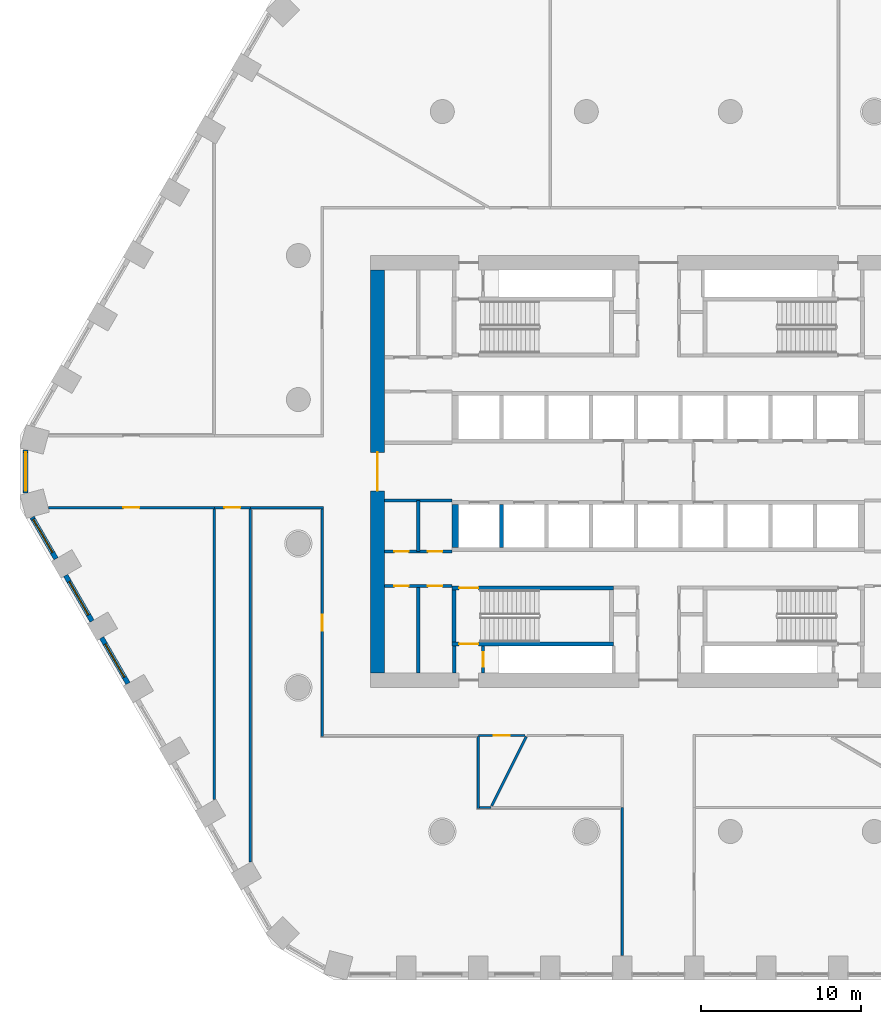
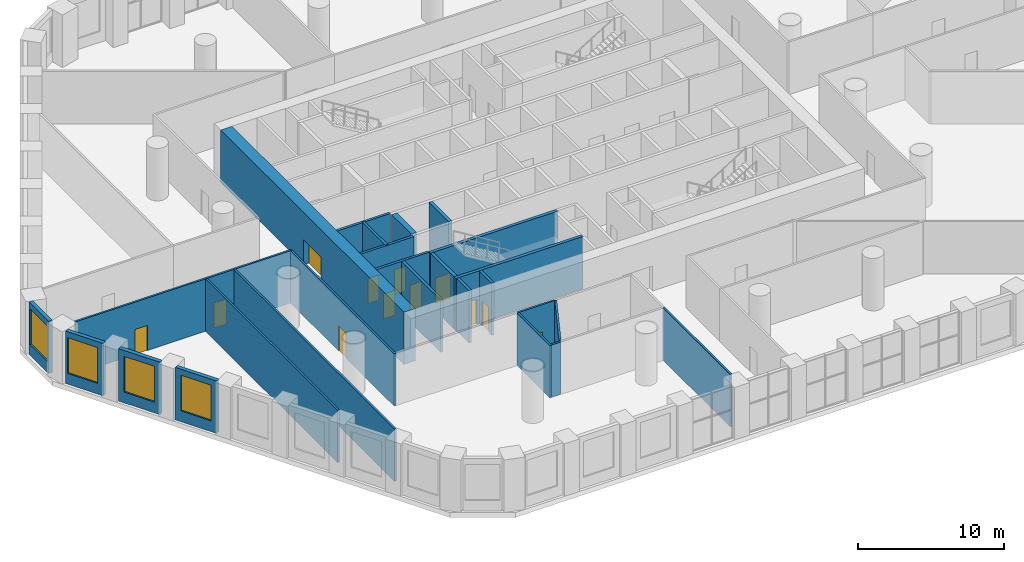
# One storey, part 7 of 21: 28 walls, 12 doors, 4 windows, 16 openings.
"""IFC4 building model written with IfcOpenShell, lengths in metres."""

from ifc_helpers import new_model, si_unit, direction, frame, frame_2d, origin, place, context, subcontext, project, spatial, polyline, rectangle, outline, extrude, material, layer, layer_set, type_object, element, fill, save


model = new_model("IFC4")

# Units and contexts
model_context = context("Model", 3, precision=1e-05, world=origin(), true_north=direction((0.0, 1.0)))
body_context = subcontext(model_context, "Body", "Model", "MODEL_VIEW")
ifc_project = project(units=[si_unit("LENGTHUNIT", "METRE"), si_unit("AREAUNIT", "SQUARE_METRE"), si_unit("VOLUMEUNIT", "CUBIC_METRE"), si_unit("PLANEANGLEUNIT", "RADIAN"), si_unit("MASSUNIT", "GRAM", prefix="KILO")], contexts=[model_context])

# Site, building, storey
site_placement = place(None, origin())
site = spatial("IfcSite", under=ifc_project, at=site_placement, CompositionType="ELEMENT")
building_placement = place(site_placement, origin())
building = spatial("IfcBuilding", under=site, at=building_placement, Name="Dhurran Vertical Campus", CompositionType="ELEMENT")
storey_placement = place(building_placement, frame((0.0, 0.0, 20.39990234375)))
storey = spatial("IfcBuildingStorey", under=building, at=storey_placement, Name="L04", CompositionType="ELEMENT", Elevation=20.39990234375)

# Wall, opening, window
ifc_material_1 = material(Name="Precast concrete C50/60", Category="concrete")
ifc_layer_1 = layer(ifc_material_1, 0.300048828125)
ifc_layer_set_1 = layer_set([ifc_layer_1], Name="Precast concrete C50/60")
wall_type_1 = type_object("IfcWallType", Name="Precast spandrel wall 300", PredefinedType="SOLIDWALL", material=ifc_layer_set_1)
wall_1_placement = place(storey_placement, frame((-39.547119140625, 1.33935546875, 0.0), z_axis=(0.0, 0.0, 1.0), x_axis=(0.0, -1.0, 0.0)))
wall_1 = element("IfcWall", 1, at=wall_1_placement, inside=storey, type_object=wall_type_1, Name="EW1 L04.43", PredefinedType="SOLIDWALL", context=body_context, shape_type="SweptSolid", body=[
    extrude(rectangle(XDim=2.6787109375, YDim=0.300048828125, at=frame_2d((1.33935546875, 0.0))), origin(), (0.0, 0.0, 1.0), 4.400146484375),
])
opening_1_placement = place(wall_1_placement, frame((0.139404296875, 0.0, 0.89990234375)))
opening_1 = element("IfcOpeningElement", 2, at=opening_1_placement, cuts=wall_1, Name="Opening WT2", PredefinedType="OPENING", context=body_context, shape_type="SweptSolid", body=[
    extrude(rectangle(XDim=2.39990234375, YDim=3.0, at=frame_2d((1.199951171875, 1.5))), frame((0.0, 0.159912109375, 0.0), z_axis=(0.0, -1.0, 0.0), x_axis=(1.0, 0.0, 0.0)), (0.0, 0.0, 1.0), 0.320068359375),
])
ifc_material_2 = material(Name="Aluminium frame with solar-control glass", Category="aluminium")
window_type = type_object("IfcWindowType", Name="Podium window 2400 x 3000", PartitioningType="SINGLE_PANEL", PredefinedType="WINDOW", material=ifc_material_2)
window_1_placement = place(opening_1_placement, origin())
window_1 = element("IfcWindow", 3, at=window_1_placement, inside=storey, type_object=window_type, Name="WT2 L04.43", OverallHeight=3.0, OverallWidth=2.39990234375, PartitioningType="SINGLE_PANEL", PredefinedType="WINDOW", context=body_context, shape_type="SweptSolid", body=[
    extrude(rectangle(XDim=2.39990234375, YDim=3.0, at=frame_2d((1.199951171875, 1.5))), frame((0.0, 0.030029296875, 0.0), z_axis=(0.0, -1.0, 0.0), x_axis=(1.0, 0.0, 0.0)), (0.0, 0.0, 1.0), 0.06005859375),
])
fill(opening_1, window_1)

wall_2_placement = place(storey_placement, frame((-39.138671875, -2.86376953125, 0.0), z_axis=(0.0, 0.0, 1.0), x_axis=(0.49999586137, -0.866027793211, 0.0)))
wall_2 = element("IfcWall", 4, at=wall_2_placement, inside=storey, type_object=wall_type_1, Name="EW1 L04.44", PredefinedType="SOLIDWALL", context=body_context, shape_type="SweptSolid", body=[
    extrude(rectangle(XDim=2.98876953125, YDim=0.300048828125, at=frame_2d((1.494384765625, 0.0))), origin(), (0.0, 0.0, 1.0), 4.400146484375),
])
opening_2_placement = place(wall_2_placement, frame((0.139404296875, 0.0, 0.89990234375)))
opening_2 = element("IfcOpeningElement", 5, at=opening_2_placement, cuts=wall_2, Name="Opening WT2", PredefinedType="OPENING", context=body_context, shape_type="SweptSolid", body=[
    extrude(rectangle(XDim=2.39990234375, YDim=3.0, at=frame_2d((1.199951171875, 1.5))), frame((0.0, 0.159912109375, 0.0), z_axis=(0.0, -1.0, 0.0), x_axis=(1.0, 0.0, 0.0)), (0.0, 0.0, 1.0), 0.320068359375),
])
window_2_placement = place(opening_2_placement, origin())
window_2 = element("IfcWindow", 6, at=window_2_placement, inside=storey, type_object=window_type, Name="WT2 L04.44", OverallHeight=3.0, OverallWidth=2.39990234375, PartitioningType="SINGLE_PANEL", PredefinedType="WINDOW", context=body_context, shape_type="SweptSolid", body=[
    extrude(rectangle(XDim=2.39990234375, YDim=3.0, at=frame_2d((1.199951171875, 1.5))), frame((0.0, 0.030029296875, 0.0), z_axis=(0.0, -1.0, 0.0), x_axis=(1.0, 0.0, 0.0)), (0.0, 0.0, 1.0), 0.06005859375),
])
fill(opening_2, window_2)

wall_3_placement = place(storey_placement, frame((-37.043701171875, -6.4921875, 0.0), z_axis=(0.0, 0.0, 1.0), x_axis=(0.499991515992, -0.866030301974, 0.0)))
wall_3 = element("IfcWall", 7, at=wall_3_placement, inside=storey, type_object=wall_type_1, Name="EW1 L04.45", PredefinedType="SOLIDWALL", context=body_context, shape_type="SweptSolid", body=[
    extrude(rectangle(XDim=3.298828125, YDim=0.300048828125, at=frame_2d((1.6494140625, 0.0))), origin(), (0.0, 0.0, 1.0), 4.400146484375),
])
opening_3_placement = place(wall_3_placement, frame((0.449462890625, 0.0, 0.89990234375)))
opening_3 = element("IfcOpeningElement", 8, at=opening_3_placement, cuts=wall_3, Name="Opening WT2", PredefinedType="OPENING", context=body_context, shape_type="SweptSolid", body=[
    extrude(rectangle(XDim=2.39990234375, YDim=3.0, at=frame_2d((1.199951171875, 1.5))), frame((0.0, 0.159912109375, 0.0), z_axis=(0.0, -1.0, 0.0), x_axis=(1.0, 0.0, 0.0)), (0.0, 0.0, 1.0), 0.320068359375),
])
window_3_placement = place(opening_3_placement, origin())
window_3 = element("IfcWindow", 9, at=window_3_placement, inside=storey, type_object=window_type, Name="WT2 L04.45", OverallHeight=3.0, OverallWidth=2.39990234375, PartitioningType="SINGLE_PANEL", PredefinedType="WINDOW", context=body_context, shape_type="SweptSolid", body=[
    extrude(rectangle(XDim=2.39990234375, YDim=3.0, at=frame_2d((1.199951171875, 1.5))), frame((0.0, 0.030029296875, 0.0), z_axis=(0.0, -1.0, 0.0), x_axis=(1.0, 0.0, 0.0)), (0.0, 0.0, 1.0), 0.06005859375),
])
fill(opening_3, window_3)

wall_4_placement = place(storey_placement, frame((-34.793701171875, -10.389404296875, 0.0), z_axis=(0.0, 0.0, 1.0), x_axis=(0.499991515992, -0.866030301974, 0.0)))
wall_4 = element("IfcWall", 10, at=wall_4_placement, inside=storey, type_object=wall_type_1, Name="EW1 L04.46", PredefinedType="SOLIDWALL", context=body_context, shape_type="SweptSolid", body=[
    extrude(rectangle(XDim=3.298828125, YDim=0.300048828125, at=frame_2d((1.6494140625, 0.0))), origin(), (0.0, 0.0, 1.0), 4.400146484375),
])
opening_4_placement = place(wall_4_placement, frame((0.449462890625, 0.0, 0.89990234375)))
opening_4 = element("IfcOpeningElement", 11, at=opening_4_placement, cuts=wall_4, Name="Opening WT2", PredefinedType="OPENING", context=body_context, shape_type="SweptSolid", body=[
    extrude(rectangle(XDim=2.39990234375, YDim=3.0, at=frame_2d((1.199951171875, 1.5))), frame((0.0, 0.159912109375, 0.0), z_axis=(0.0, -1.0, 0.0), x_axis=(1.0, 0.0, 0.0)), (0.0, 0.0, 1.0), 0.320068359375),
])
window_4_placement = place(opening_4_placement, origin())
window_4 = element("IfcWindow", 12, at=window_4_placement, inside=storey, type_object=window_type, Name="WT2 L04.46", OverallHeight=3.0, OverallWidth=2.39990234375, PartitioningType="SINGLE_PANEL", PredefinedType="WINDOW", context=body_context, shape_type="SweptSolid", body=[
    extrude(rectangle(XDim=2.39990234375, YDim=3.0, at=frame_2d((1.199951171875, 1.5))), frame((0.0, 0.030029296875, 0.0), z_axis=(0.0, -1.0, 0.0), x_axis=(1.0, 0.0, 0.0)), (0.0, 0.0, 1.0), 0.06005859375),
])
fill(opening_4, window_4)

# Wall, opening, door
ifc_material_3 = material(Name="Concrete C60/75", Category="concrete")
ifc_layer_2 = layer(ifc_material_3, 0.89990234375)
ifc_layer_set_2 = layer_set([ifc_layer_2], Name="Concrete C60/75")
wall_type_2 = type_object("IfcWallType", Name="co-CORE-WALL-C0-900", PredefinedType="SHEAR", material=ifc_layer_set_2)
wall_5_placement = place(storey_placement, frame((-17.550048828125, -12.60009765625, 0.0), z_axis=(0.0, 0.0, 1.0), x_axis=(0.0, 1.0, 0.0)))
wall_5 = element("IfcWall", 13, at=wall_5_placement, inside=storey, type_object=wall_type_2, Name="Core wall W L04", PredefinedType="SHEAR", context=body_context, shape_type="SweptSolid", body=[
    extrude(rectangle(XDim=25.2001953125, YDim=0.89990234375, at=frame_2d((12.60009765625, 0.0))), origin(), (0.0, 0.0, 1.0), 4.400146484375),
])
opening_5_placement = place(wall_5_placement, frame((11.39990234375, 0.0, 0.0)))
opening_5 = element("IfcOpeningElement", 14, at=opening_5_placement, cuts=wall_5, Name="Opening CL1", PredefinedType="OPENING", context=body_context, shape_type="SweptSolid", body=[
    extrude(rectangle(XDim=2.39990234375, YDim=2.10009765625, at=frame_2d((1.199951171875, 1.050048828125))), frame((0.0, 0.4599609375, 0.0), z_axis=(0.0, -1.0, 0.0), x_axis=(1.0, 0.0, 0.0)), (0.0, 0.0, 1.0), 0.919921875),
])
ifc_material_4 = material(Name="Fire-rated glazed door set")
door_type_1 = type_object("IfcDoorType", Name="co-D-LOBBY 2400x2100", OperationType="DOUBLE_DOOR_DOUBLE_SWING", PredefinedType="DOOR", material=ifc_material_4)
door_1_placement = place(opening_5_placement, origin())
door_1 = element("IfcDoor", 15, at=door_1_placement, inside=storey, type_object=door_type_1, Name="Lift lobby door W L04", OperationType="DOUBLE_DOOR_DOUBLE_SWING", OverallHeight=2.10009765625, OverallWidth=2.39990234375, PredefinedType="DOOR", context=body_context, shape_type="SweptSolid", body=[
    extrude(rectangle(XDim=2.39990234375, YDim=2.10009765625, at=frame_2d((1.199951171875, 1.050048828125))), frame((0.0, 0.02490234375, 0.0), z_axis=(0.0, -1.0, 0.0), x_axis=(1.0, 0.0, 0.0)), (0.0, 0.0, 1.0), 0.050048828125),
])
fill(opening_5, door_1)

# Wall
ifc_material_5 = material(Name="Fire-rated masonry blockwork", Category="masonry")
ifc_layer_3 = layer(ifc_material_5, 0.199951171875)
ifc_layer_set_3 = layer_set([ifc_layer_3], Name="Fire-rated masonry blockwork")
wall_type_3 = type_object("IfcWallType", Name="co-FIRE-PARTITION-200", PredefinedType="PARTITIONING", material=ifc_layer_set_3)
wall_6_placement = place(storey_placement, frame((-12.75, -12.60009765625, 0.0), z_axis=(0.0, 0.0, 1.0), x_axis=(0.0, 1.0, 0.0)))
element("IfcWall", 16, at=wall_6_placement, inside=storey, type_object=wall_type_3, Name="Core partition pass-ST3-o L04", PredefinedType="PARTITIONING", context=body_context, shape_type="SweptSolid", body=[
    extrude(rectangle(XDim=1.7001953125, YDim=0.199951171875, at=frame_2d((0.85009765625, 0.0))), origin(), (0.0, 0.0, 1.0), 4.400146484375),
])

# Wall, opening, door
wall_7_placement = place(storey_placement, frame((-10.949951171875, -12.60009765625, 0.0), z_axis=(0.0, 0.0, 1.0), x_axis=(0.0, 1.0, 0.0)))
wall_7 = element("IfcWall", 17, at=wall_7_placement, inside=storey, type_object=wall_type_3, Name="Core partition pass-ST3-i L04", PredefinedType="PARTITIONING", context=body_context, shape_type="SweptSolid", body=[
    extrude(rectangle(XDim=1.7001953125, YDim=0.199951171875, at=frame_2d((0.85009765625, 0.0))), origin(), (0.0, 0.0, 1.0), 4.400146484375),
])
opening_6_placement = place(wall_7_placement, frame((0.39990234375, 0.0, 0.0)))
opening_6 = element("IfcOpeningElement", 18, at=opening_6_placement, cuts=wall_7, Name="Opening PD04-C11", PredefinedType="OPENING", context=body_context, shape_type="SweptSolid", body=[
    extrude(rectangle(XDim=0.89990234375, YDim=2.10009765625, at=frame_2d((0.449951171875, 1.050048828125))), frame((0.0, 0.10986328125, 0.0), z_axis=(0.0, -1.0, 0.0), x_axis=(1.0, 0.0, 0.0)), (0.0, 0.0, 1.0), 0.219970703125),
])
ifc_material_6 = material(Name="Fire-rated timber door set", Category="wood")
door_type_2 = type_object("IfcDoorType", Name="co-D-ROOM 900x2100", OperationType="SINGLE_SWING_LEFT", PredefinedType="DOOR", material=ifc_material_6)
door_2_placement = place(opening_6_placement, origin())
door_2 = element("IfcDoor", 19, at=door_2_placement, inside=storey, type_object=door_type_2, Name="Riser room door L04", OperationType="SINGLE_SWING_LEFT", OverallHeight=2.10009765625, OverallWidth=0.89990234375, PredefinedType="DOOR", context=body_context, shape_type="SweptSolid", body=[
    extrude(rectangle(XDim=0.89990234375, YDim=2.10009765625, at=frame_2d((0.449951171875, 1.050048828125))), frame((0.0, 0.02490234375, 0.0), z_axis=(0.0, -1.0, 0.0), x_axis=(1.0, 0.0, 0.0)), (0.0, 0.0, 1.0), 0.050048828125),
])
fill(opening_6, door_2)

# Wall
wall_8_placement = place(storey_placement, frame((-15.0, -12.60009765625, 0.0), z_axis=(0.0, 0.0, 1.0), x_axis=(0.0, 1.0, 0.0)))
element("IfcWall", 20, at=wall_8_placement, inside=storey, type_object=wall_type_3, Name="Core partition en-SW-cut0 L04", PredefinedType="PARTITIONING", context=body_context, shape_type="SweptSolid", body=[
    extrude(rectangle(XDim=5.4501953125, YDim=0.199951171875, at=frame_2d((2.72509765625, 0.0))), origin(), (0.0, 0.0, 1.0), 4.400146484375),
])

# Wall, openings, doors
wall_9_placement = place(storey_placement, frame((-17.10009765625, -7.14990234375, 0.0), z_axis=(0.0, 0.0, 1.0), x_axis=(1.0, 0.0, 0.0)))
wall_9 = element("IfcWall", 21, at=wall_9_placement, inside=storey, type_object=wall_type_3, Name="Core partition en-SW-w L04", PredefinedType="PARTITIONING", context=body_context, shape_type="SweptSolid", body=[
    extrude(rectangle(XDim=4.2001953125, YDim=0.199951171875, at=frame_2d((2.10009765625, 0.0))), origin(), (0.0, 0.0, 1.0), 4.400146484375),
])
opening_7_placement = place(wall_9_placement, frame((0.60009765625, 0.0, 0.0)))
opening_7 = element("IfcOpeningElement", 22, at=opening_7_placement, cuts=wall_9, Name="Opening PD04-C18", PredefinedType="OPENING", context=body_context, shape_type="SweptSolid", body=[
    extrude(rectangle(XDim=0.89990234375, YDim=2.10009765625, at=frame_2d((0.449951171875, 1.050048828125))), frame((0.0, 0.10986328125, 0.0), z_axis=(0.0, -1.0, 0.0), x_axis=(1.0, 0.0, 0.0)), (0.0, 0.0, 1.0), 0.219970703125),
])
opening_8_placement = place(wall_9_placement, frame((2.699951171875, 0.0, 0.0)))
opening_8 = element("IfcOpeningElement", 23, at=opening_8_placement, cuts=wall_9, Name="Opening PD04-C19", PredefinedType="OPENING", context=body_context, shape_type="SweptSolid", body=[
    extrude(rectangle(XDim=0.89990234375, YDim=2.10009765625, at=frame_2d((0.449951171875, 1.050048828125))), frame((0.0, 0.10986328125, 0.0), z_axis=(0.0, -1.0, 0.0), x_axis=(1.0, 0.0, 0.0)), (0.0, 0.0, 1.0), 0.219970703125),
])
door_3_placement = place(opening_7_placement, origin())
door_3 = element("IfcDoor", 24, at=door_3_placement, inside=storey, type_object=door_type_2, Name="Water riser door L04", OperationType="SINGLE_SWING_LEFT", OverallHeight=2.10009765625, OverallWidth=0.89990234375, PredefinedType="DOOR", context=body_context, shape_type="SweptSolid", body=[
    extrude(rectangle(XDim=0.89990234375, YDim=2.10009765625, at=frame_2d((0.449951171875, 1.050048828125))), frame((0.0, 0.02490234375, 0.0), z_axis=(0.0, -1.0, 0.0), x_axis=(1.0, 0.0, 0.0)), (0.0, 0.0, 1.0), 0.050048828125),
])
fill(opening_7, door_3)
door_4_placement = place(opening_8_placement, origin())
door_4 = element("IfcDoor", 25, at=door_4_placement, inside=storey, type_object=door_type_2, Name="Plant room door L04", OperationType="SINGLE_SWING_LEFT", OverallHeight=2.10009765625, OverallWidth=0.89990234375, PredefinedType="DOOR", context=body_context, shape_type="SweptSolid", body=[
    extrude(rectangle(XDim=0.89990234375, YDim=2.10009765625, at=frame_2d((0.449951171875, 1.050048828125))), frame((0.0, 0.02490234375, 0.0), z_axis=(0.0, -1.0, 0.0), x_axis=(1.0, 0.0, 0.0)), (0.0, 0.0, 1.0), 0.050048828125),
])
fill(opening_8, door_4)

# Wall
wall_10_placement = place(storey_placement, frame((-15.0, -5.0, 0.0), z_axis=(0.0, 0.0, 1.0), x_axis=(0.0, 1.0, 0.0)))
element("IfcWall", 26, at=wall_10_placement, inside=storey, type_object=wall_type_3, Name="Core partition es-SW-cut0 L04", PredefinedType="PARTITIONING", context=body_context, shape_type="SweptSolid", body=[
    extrude(rectangle(XDim=3.199951171875, YDim=0.199951171875, at=frame_2d((1.60009765625, 0.0))), origin(), (0.0, 0.0, 1.0), 4.400146484375),
])

# Wall, openings, doors
wall_11_placement = place(storey_placement, frame((-17.10009765625, -5.0, 0.0), z_axis=(0.0, 0.0, 1.0), x_axis=(1.0, 0.0, 0.0)))
wall_11 = element("IfcWall", 27, at=wall_11_placement, inside=storey, type_object=wall_type_3, Name="Core partition es-SW-w L04", PredefinedType="PARTITIONING", context=body_context, shape_type="SweptSolid", body=[
    extrude(rectangle(XDim=4.2001953125, YDim=0.199951171875, at=frame_2d((2.10009765625, 0.0))), origin(), (0.0, 0.0, 1.0), 4.400146484375),
])
opening_9_placement = place(wall_11_placement, frame((0.60009765625, 0.0, 0.0)))
opening_9 = element("IfcOpeningElement", 28, at=opening_9_placement, cuts=wall_11, Name="Opening PD04-C20", PredefinedType="OPENING", context=body_context, shape_type="SweptSolid", body=[
    extrude(rectangle(XDim=0.89990234375, YDim=2.10009765625, at=frame_2d((0.449951171875, 1.050048828125))), frame((0.0, 0.10986328125, 0.0), z_axis=(0.0, -1.0, 0.0), x_axis=(1.0, 0.0, 0.0)), (0.0, 0.0, 1.0), 0.219970703125),
])
opening_10_placement = place(wall_11_placement, frame((2.699951171875, 0.0, 0.0)))
opening_10 = element("IfcOpeningElement", 29, at=opening_10_placement, cuts=wall_11, Name="Opening PD04-C21", PredefinedType="OPENING", context=body_context, shape_type="SweptSolid", body=[
    extrude(rectangle(XDim=0.89990234375, YDim=2.10009765625, at=frame_2d((0.449951171875, 1.050048828125))), frame((0.0, 0.10986328125, 0.0), z_axis=(0.0, -1.0, 0.0), x_axis=(1.0, 0.0, 0.0)), (0.0, 0.0, 1.0), 0.219970703125),
])
door_5_placement = place(opening_9_placement, origin())
door_5 = element("IfcDoor", 30, at=door_5_placement, inside=storey, type_object=door_type_2, Name="Water riser door L04", OperationType="SINGLE_SWING_LEFT", OverallHeight=2.10009765625, OverallWidth=0.89990234375, PredefinedType="DOOR", context=body_context, shape_type="SweptSolid", body=[
    extrude(rectangle(XDim=0.89990234375, YDim=2.10009765625, at=frame_2d((0.449951171875, 1.050048828125))), frame((0.0, 0.02490234375, 0.0), z_axis=(0.0, -1.0, 0.0), x_axis=(1.0, 0.0, 0.0)), (0.0, 0.0, 1.0), 0.050048828125),
])
fill(opening_9, door_5)
door_6_placement = place(opening_10_placement, origin())
door_6 = element("IfcDoor", 31, at=door_6_placement, inside=storey, type_object=door_type_2, Name="Print room door L04", OperationType="SINGLE_SWING_LEFT", OverallHeight=2.10009765625, OverallWidth=0.89990234375, PredefinedType="DOOR", context=body_context, shape_type="SweptSolid", body=[
    extrude(rectangle(XDim=0.89990234375, YDim=2.10009765625, at=frame_2d((0.449951171875, 1.050048828125))), frame((0.0, 0.02490234375, 0.0), z_axis=(0.0, -1.0, 0.0), x_axis=(1.0, 0.0, 0.0)), (0.0, 0.0, 1.0), 0.050048828125),
])
fill(opening_10, door_6)

# Walls
wall_12_placement = place(storey_placement, frame((-17.10009765625, -1.800048828125, 0.0), z_axis=(0.0, 0.0, 1.0), x_axis=(1.0, 0.0, 0.0)))
element("IfcWall", 32, at=wall_12_placement, inside=storey, type_object=wall_type_3, Name="Core partition es-SW-l L04", PredefinedType="PARTITIONING", context=body_context, shape_type="SweptSolid", body=[
    extrude(rectangle(XDim=4.2001953125, YDim=0.199951171875, at=frame_2d((2.10009765625, 0.0))), origin(), (0.0, 0.0, 1.0), 4.400146484375),
])
ifc_material_7 = material(Name="Concrete C50/60", Category="concrete")
ifc_layer_4 = layer(ifc_material_7, 0.25)
ifc_layer_set_4 = layer_set([ifc_layer_4], Name="Concrete C50/60")
wall_type_4 = type_object("IfcWallType", Name="co-SHAFT-MASS-250", PredefinedType="SHEAR", material=ifc_layer_set_4)
wall_13_placement = place(storey_placement, origin())
element("IfcWall", 33, at=wall_13_placement, inside=storey, type_object=wall_type_4, Name="Lift shaft wall S L04 2", PredefinedType="SHEAR", context=body_context, shape_type="SweptSolid", body=[
    extrude(outline(polyline([(-12.89990234375, -4.75), (-12.47509765625, -4.75), (-12.47509765625, -2.050048828125), (-12.89990234375, -2.050048828125), (-12.89990234375, -4.75)])), origin(), (0.0, 0.0, 1.0), 4.400146484375),
])
wall_14_placement = place(storey_placement, origin())
element("IfcWall", 34, at=wall_14_placement, inside=storey, type_object=wall_type_4, Name="Lift shaft wall S L04 3", PredefinedType="SHEAR", context=body_context, shape_type="SweptSolid", body=[
    extrude(outline(polyline([(-9.925048828125, -4.75), (-9.675048828125, -4.75), (-9.675048828125, -2.050048828125), (-9.925048828125, -2.050048828125), (-9.925048828125, -4.75)])), origin(), (0.0, 0.0, 1.0), 4.400146484375),
])

# Wall, opening, door
ifc_material_8 = material(Name="Concrete C40/50", Category="concrete")
ifc_layer_5 = layer(ifc_material_8, 0.25)
ifc_layer_set_5 = layer_set([ifc_layer_5], Name="Concrete C40/50")
wall_type_5 = type_object("IfcWallType", Name="co-STAIR-WALL-250", PredefinedType="SHEAR", material=ifc_layer_set_5)
wall_15_placement = place(storey_placement, frame((-12.89990234375, -10.77490234375, 0.0), z_axis=(0.0, 0.0, 1.0), x_axis=(1.0, 0.0, 0.0)))
wall_15 = element("IfcWall", 35, at=wall_15_placement, inside=storey, type_object=wall_type_5, Name="Stair ST3 enclosure wall L04", PredefinedType="SHEAR", context=body_context, shape_type="SweptSolid", body=[
    extrude(rectangle(XDim=10.099853515625, YDim=0.25, at=frame_2d((5.0498046875, 0.0))), origin(), (0.0, 0.0, 1.0), 4.400146484375),
])
opening_11_placement = place(wall_15_placement, frame((0.449951171875, 0.0, 0.0)))
opening_11 = element("IfcOpeningElement", 36, at=opening_11_placement, cuts=wall_15, Name="Opening XS3", PredefinedType="OPENING", context=body_context, shape_type="SweptSolid", body=[
    extrude(rectangle(XDim=1.199951171875, YDim=2.10009765625, at=frame_2d((0.60009765625, 1.050048828125))), frame((0.0, 0.135009765625, 0.0), z_axis=(0.0, -1.0, 0.0), x_axis=(1.0, 0.0, 0.0)), (0.0, 0.0, 1.0), 0.27001953125),
])
ifc_material_9 = material(Name="Fire-rated steel door set", Category="steel")
door_type_3 = type_object("IfcDoorType", Name="co-D-STAIR-EXIT 1200x2100", OperationType="SINGLE_SWING_RIGHT", PredefinedType="DOOR", material=ifc_material_9)
door_7_placement = place(opening_11_placement, origin())
door_7 = element("IfcDoor", 37, at=door_7_placement, inside=storey, type_object=door_type_3, Name="Stair ST3 discharge door L04", OperationType="SINGLE_SWING_RIGHT", OverallHeight=2.10009765625, OverallWidth=1.199951171875, PredefinedType="DOOR", context=body_context, shape_type="SweptSolid", body=[
    extrude(rectangle(XDim=1.199951171875, YDim=2.10009765625, at=frame_2d((0.60009765625, 1.050048828125))), frame((0.0, 0.02490234375, 0.0), z_axis=(0.0, -1.0, 0.0), x_axis=(1.0, 0.0, 0.0)), (0.0, 0.0, 1.0), 0.050048828125),
])
fill(opening_11, door_7)

wall_16_placement = place(storey_placement, frame((-12.89990234375, -7.27490234375, 0.0), z_axis=(0.0, 0.0, 1.0), x_axis=(1.0, 0.0, 0.0)))
wall_16 = element("IfcWall", 38, at=wall_16_placement, inside=storey, type_object=wall_type_5, Name="Stair ST3 enclosure wall L04", PredefinedType="SHEAR", context=body_context, shape_type="SweptSolid", body=[
    extrude(rectangle(XDim=10.099853515625, YDim=0.25, at=frame_2d((5.0498046875, 0.0))), origin(), (0.0, 0.0, 1.0), 4.400146484375),
])
opening_12_placement = place(wall_16_placement, frame((0.449951171875, 0.0, 0.0)))
opening_12 = element("IfcOpeningElement", 39, at=opening_12_placement, cuts=wall_16, Name="Opening SD3", PredefinedType="OPENING", context=body_context, shape_type="SweptSolid", body=[
    extrude(rectangle(XDim=1.199951171875, YDim=2.10009765625, at=frame_2d((0.60009765625, 1.050048828125))), frame((0.0, 0.135009765625, 0.0), z_axis=(0.0, -1.0, 0.0), x_axis=(1.0, 0.0, 0.0)), (0.0, 0.0, 1.0), 0.27001953125),
])
ifc_material_10 = material(Name="Fire-rated steel door set", Category="steel")
door_type_4 = type_object("IfcDoorType", Name="co-D-STAIR 1200x2100", OperationType="SINGLE_SWING_LEFT", PredefinedType="DOOR", material=ifc_material_10)
door_8_placement = place(opening_12_placement, origin())
door_8 = element("IfcDoor", 40, at=door_8_placement, inside=storey, type_object=door_type_4, Name="Stair ST3 door L04", OperationType="SINGLE_SWING_LEFT", OverallHeight=2.10009765625, OverallWidth=1.199951171875, PredefinedType="DOOR", context=body_context, shape_type="SweptSolid", body=[
    extrude(rectangle(XDim=1.199951171875, YDim=2.10009765625, at=frame_2d((0.60009765625, 1.050048828125))), frame((0.0, 0.02490234375, 0.0), z_axis=(0.0, -1.0, 0.0), x_axis=(1.0, 0.0, 0.0)), (0.0, 0.0, 1.0), 0.050048828125),
])
fill(opening_12, door_8)

# Wall
wall_17_placement = place(storey_placement, frame((-12.77490234375, -10.64990234375, 0.0), z_axis=(0.0, 0.0, 1.0), x_axis=(0.0, 1.0, 0.0)))
element("IfcWall", 41, at=wall_17_placement, inside=storey, type_object=wall_type_5, Name="Stair ST3 enclosure wall L04", PredefinedType="SHEAR", context=body_context, shape_type="SweptSolid", body=[
    extrude(rectangle(XDim=3.25, YDim=0.25, at=frame_2d((1.625, 0.0))), origin(), (0.0, 0.0, 1.0), 4.400146484375),
])

# Wall, opening, door
ifc_material_11 = material(Name="Gypsum board corridor wall on steel studs", Category="steel")
ifc_layer_6 = layer(ifc_material_11, 0.14990234375)
ifc_layer_set_6 = layer_set([ifc_layer_6], Name="Gypsum board corridor wall on steel studs")
wall_type_6 = type_object("IfcWallType", Name="fl-CW-150 corridor wall", PredefinedType="PARTITIONING", material=ifc_layer_set_6)
wall_18_placement = place(storey_placement, frame((-27.75, -2.25, 0.0), z_axis=(0.0, 0.0, 1.0), x_axis=(-1.0, 0.0, 0.0)))
wall_18 = element("IfcWall", 42, at=wall_18_placement, inside=storey, type_object=wall_type_6, Name="Partition 04-01", PredefinedType="PARTITIONING", context=body_context, shape_type="SweptSolid", body=[
    extrude(rectangle(XDim=10.365478515625, YDim=0.14990234375, at=frame_2d((5.1826171875, 0.0))), origin(), (0.0, 0.0, 1.0), 4.400146484375),
])
opening_13_placement = place(wall_18_placement, frame((4.6826171875, 0.0, 0.0)))
opening_13 = element("IfcOpeningElement", 43, at=opening_13_placement, cuts=wall_18, Name="Opening PD04.01", PredefinedType="OPENING", context=body_context, shape_type="SweptSolid", body=[
    extrude(rectangle(XDim=1.0, YDim=2.10009765625, at=frame_2d((0.5, 1.050048828125))), frame((0.0, 0.0849609375, 0.0), z_axis=(0.0, -1.0, 0.0), x_axis=(1.0, 0.0, 0.0)), (0.0, 0.0, 1.0), 0.169921875),
])
ifc_material_12 = material(Name="Solid-core timber door set, fire-rated", Category="wood")
door_type_5 = type_object("IfcDoorType", Name="fl-D-1000x2100", OperationType="SINGLE_SWING_LEFT", PredefinedType="DOOR", material=ifc_material_12)
door_9_placement = place(opening_13_placement, origin())
door_9 = element("IfcDoor", 44, at=door_9_placement, inside=storey, type_object=door_type_5, Name="Door 04.01", OperationType="SINGLE_SWING_LEFT", OverallHeight=2.10009765625, OverallWidth=1.0, PredefinedType="DOOR", context=body_context, shape_type="SweptSolid", body=[
    extrude(rectangle(XDim=1.0, YDim=2.10009765625, at=frame_2d((0.5, 1.050048828125))), frame((0.0, 0.02490234375, 0.0), z_axis=(0.0, -1.0, 0.0), x_axis=(1.0, 0.0, 0.0)), (0.0, 0.0, 1.0), 0.050048828125),
])
fill(opening_13, door_9)

wall_19_placement = place(storey_placement, frame((-25.5, -2.25, 0.0), z_axis=(0.0, 0.0, 1.0), x_axis=(-1.0, 0.0, 0.0)))
wall_19 = element("IfcWall", 45, at=wall_19_placement, inside=storey, type_object=wall_type_6, Name="Partition 04-04", PredefinedType="PARTITIONING", context=body_context, shape_type="SweptSolid", body=[
    extrude(rectangle(XDim=2.25, YDim=0.14990234375, at=frame_2d((1.125, 0.0))), origin(), (0.0, 0.0, 1.0), 4.400146484375),
])
opening_14_placement = place(wall_19_placement, frame((0.625, 0.0, 0.0)))
opening_14 = element("IfcOpeningElement", 46, at=opening_14_placement, cuts=wall_19, Name="Opening PD04.03", PredefinedType="OPENING", context=body_context, shape_type="SweptSolid", body=[
    extrude(rectangle(XDim=1.0, YDim=2.10009765625, at=frame_2d((0.5, 1.050048828125))), frame((0.0, 0.0849609375, 0.0), z_axis=(0.0, -1.0, 0.0), x_axis=(1.0, 0.0, 0.0)), (0.0, 0.0, 1.0), 0.169921875),
])
door_10_placement = place(opening_14_placement, origin())
door_10 = element("IfcDoor", 47, at=door_10_placement, inside=storey, type_object=door_type_5, Name="Door 04.03", OperationType="SINGLE_SWING_RIGHT", OverallHeight=2.10009765625, OverallWidth=1.0, PredefinedType="DOOR", context=body_context, shape_type="SweptSolid", body=[
    extrude(rectangle(XDim=1.0, YDim=2.10009765625, at=frame_2d((0.5, 1.050048828125))), frame((0.0, 0.02490234375, 0.0), z_axis=(0.0, -1.0, 0.0), x_axis=(1.0, 0.0, 0.0)), (0.0, 0.0, 1.0), 0.050048828125),
])
fill(opening_14, door_10)

# Wall
wall_20_placement = place(storey_placement, frame((-20.925048828125, -2.25, 0.0), z_axis=(0.0, 0.0, 1.0), x_axis=(-1.0, 0.0, 0.0)))
element("IfcWall", 48, at=wall_20_placement, inside=storey, type_object=wall_type_6, Name="Partition 04-09", PredefinedType="PARTITIONING", context=body_context, shape_type="SweptSolid", body=[
    extrude(rectangle(XDim=4.574951171875, YDim=0.14990234375, at=frame_2d((2.28759765625, 0.0))), origin(), (0.0, 0.0, 1.0), 4.400146484375),
])

# Wall, opening, door
wall_21_placement = place(storey_placement, frame((-21.0, -2.324951171875, 0.0), z_axis=(0.0, 0.0, 1.0), x_axis=(0.0, -1.0, 0.0)))
wall_21 = element("IfcWall", 49, at=wall_21_placement, inside=storey, type_object=wall_type_6, Name="Partition 04-10", PredefinedType="PARTITIONING", context=body_context, shape_type="SweptSolid", body=[
    extrude(rectangle(XDim=14.25, YDim=0.14990234375, at=frame_2d((7.125, 0.0))), origin(), (0.0, 0.0, 1.0), 4.400146484375),
])
opening_15_placement = place(wall_21_placement, frame((6.625, 0.0, 0.0)))
opening_15 = element("IfcOpeningElement", 50, at=opening_15_placement, cuts=wall_21, Name="Opening PD04.05", PredefinedType="OPENING", context=body_context, shape_type="SweptSolid", body=[
    extrude(rectangle(XDim=1.0, YDim=2.10009765625, at=frame_2d((0.5, 1.050048828125))), frame((0.0, 0.0849609375, 0.0), z_axis=(0.0, -1.0, 0.0), x_axis=(1.0, 0.0, 0.0)), (0.0, 0.0, 1.0), 0.169921875),
])
door_11_placement = place(opening_15_placement, origin())
door_11 = element("IfcDoor", 51, at=door_11_placement, inside=storey, type_object=door_type_5, Name="Door 04.05", OperationType="SINGLE_SWING_RIGHT", OverallHeight=2.10009765625, OverallWidth=1.0, PredefinedType="DOOR", context=body_context, shape_type="SweptSolid", body=[
    extrude(rectangle(XDim=1.0, YDim=2.10009765625, at=frame_2d((0.5, 1.050048828125))), frame((0.0, 0.02490234375, 0.0), z_axis=(0.0, -1.0, 0.0), x_axis=(1.0, 0.0, 0.0)), (0.0, 0.0, 1.0), 0.050048828125),
])
fill(opening_15, door_11)

wall_22_placement = place(storey_placement, frame((-11.25, -16.5, 0.0), z_axis=(0.0, 0.0, 1.0), x_axis=(1.0, 0.0, 0.0)))
wall_22 = element("IfcWall", 52, at=wall_22_placement, inside=storey, type_object=wall_type_6, Name="Partition 04-16", PredefinedType="PARTITIONING", context=body_context, shape_type="SweptSolid", body=[
    extrude(rectangle(XDim=2.912109375, YDim=0.14990234375, at=frame_2d((1.4560546875, 0.0))), origin(), (0.0, 0.0, 1.0), 4.400146484375),
])
opening_16_placement = place(wall_22_placement, frame((0.9560546875, 0.0, 0.0)))
opening_16 = element("IfcOpeningElement", 53, at=opening_16_placement, cuts=wall_22, Name="Opening PD04.07", PredefinedType="OPENING", context=body_context, shape_type="SweptSolid", body=[
    extrude(rectangle(XDim=1.0, YDim=2.10009765625, at=frame_2d((0.5, 1.050048828125))), frame((0.0, 0.0849609375, 0.0), z_axis=(0.0, -1.0, 0.0), x_axis=(1.0, 0.0, 0.0)), (0.0, 0.0, 1.0), 0.169921875),
])
door_12_placement = place(opening_16_placement, origin())
door_12 = element("IfcDoor", 54, at=door_12_placement, inside=storey, type_object=door_type_5, Name="Door 04.07", OperationType="SINGLE_SWING_RIGHT", OverallHeight=2.10009765625, OverallWidth=1.0, PredefinedType="DOOR", context=body_context, shape_type="SweptSolid", body=[
    extrude(rectangle(XDim=1.0, YDim=2.10009765625, at=frame_2d((0.5, 1.050048828125))), frame((0.0, 0.02490234375, 0.0), z_axis=(0.0, -1.0, 0.0), x_axis=(1.0, 0.0, 0.0)), (0.0, 0.0, 1.0), 0.050048828125),
])
fill(opening_16, door_12)

# Walls
wall_23_placement = place(storey_placement, frame((-2.25, -30.259765625, 0.0), z_axis=(0.0, 0.0, 1.0), x_axis=(0.0, 1.0, 0.0)))
element("IfcWall", 55, at=wall_23_placement, inside=storey, type_object=wall_type_6, Name="Partition 04-23", PredefinedType="PARTITIONING", context=body_context, shape_type="SweptSolid", body=[
    extrude(rectangle(XDim=9.259765625, YDim=0.14990234375, at=frame_2d((4.6298828125, 0.0))), origin(), (0.0, 0.0, 1.0), 4.400146484375),
])
ifc_material_13 = material(Name="Gypsum board partition on steel studs", Category="steel")
ifc_layer_7 = layer(ifc_material_13, 0.14990234375)
ifc_layer_set_7 = layer_set([ifc_layer_7], Name="Gypsum board partition on steel studs")
wall_type_7 = type_object("IfcWallType", Name="fl-PW-150 fixed partition", PredefinedType="PARTITIONING", material=ifc_layer_set_7)
wall_24_placement = place(storey_placement, frame((-27.75, -2.324951171875, 0.0), z_axis=(0.0, 0.0, 1.0), x_axis=(0.0, -1.0, 0.0)))
element("IfcWall", 56, at=wall_24_placement, inside=storey, type_object=wall_type_7, Name="Partition 04-03", PredefinedType="PARTITIONING", context=body_context, shape_type="SweptSolid", body=[
    extrude(rectangle(XDim=18.1767578125, YDim=0.14990234375, at=frame_2d((9.08837890625, 0.0))), origin(), (0.0, 0.0, 1.0), 4.400146484375),
])
wall_25_placement = place(storey_placement, frame((-25.5, -2.324951171875, 0.0), z_axis=(0.0, 0.0, 1.0), x_axis=(0.0, -1.0, 0.0)))
element("IfcWall", 57, at=wall_25_placement, inside=storey, type_object=wall_type_7, Name="Partition 04-08", PredefinedType="PARTITIONING", context=body_context, shape_type="SweptSolid", body=[
    extrude(rectangle(XDim=22.07373046875, YDim=0.14990234375, at=frame_2d((11.036865234375, 0.0))), origin(), (0.0, 0.0, 1.0), 4.400146484375),
])
wall_26_placement = place(storey_placement, frame((-11.25, -16.574951171875, 0.0), z_axis=(0.0, 0.0, 1.0), x_axis=(0.0, -1.0, 0.0)))
element("IfcWall", 58, at=wall_26_placement, inside=storey, type_object=wall_type_7, Name="Partition 04-14", PredefinedType="PARTITIONING", context=body_context, shape_type="SweptSolid", body=[
    extrude(rectangle(XDim=4.5, YDim=0.14990234375, at=frame_2d((2.25, 0.0))), origin(), (0.0, 0.0, 1.0), 4.400146484375),
])
wall_27_placement = place(storey_placement, frame((-11.175048828125, -21.0, 0.0), z_axis=(0.0, 0.0, 1.0), x_axis=(1.0, 0.0, 0.0)))
element("IfcWall", 59, at=wall_27_placement, inside=storey, type_object=wall_type_7, Name="Partition 04-15", PredefinedType="PARTITIONING", context=body_context, shape_type="SweptSolid", body=[
    extrude(rectangle(XDim=0.714111328125, YDim=0.14990234375, at=frame_2d((0.35693359375, 0.0))), origin(), (0.0, 0.0, 1.0), 4.400146484375),
])
wall_28_placement = place(storey_placement, frame((-8.25146484375, -16.567138671875, 0.0), z_axis=(0.0, 0.0, 1.0), x_axis=(-0.446101910457, -0.894982170486, 0.0)))
element("IfcWall", 60, at=wall_28_placement, inside=storey, type_object=wall_type_7, Name="Partition 04-18", PredefinedType="PARTITIONING", context=body_context, shape_type="SweptSolid", body=[
    extrude(rectangle(XDim=4.8330078125, YDim=0.14990234375, at=frame_2d((2.41650390625, 0.0))), origin(), (0.0, 0.0, 1.0), 4.400146484375),
])

save(model, "model.ifc")
